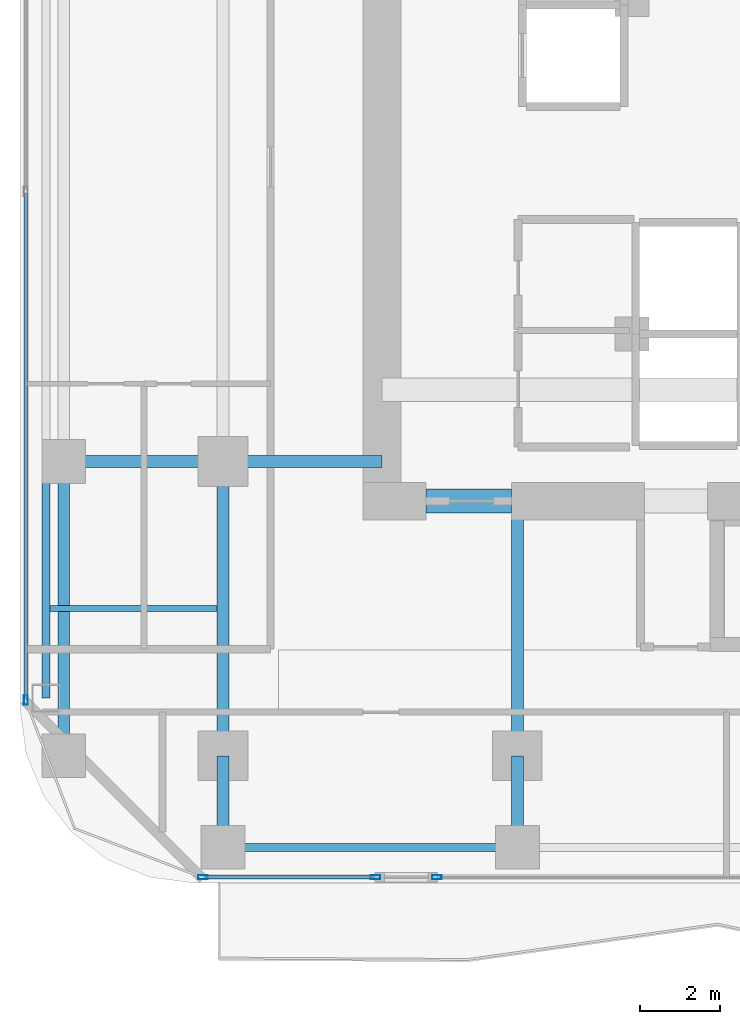
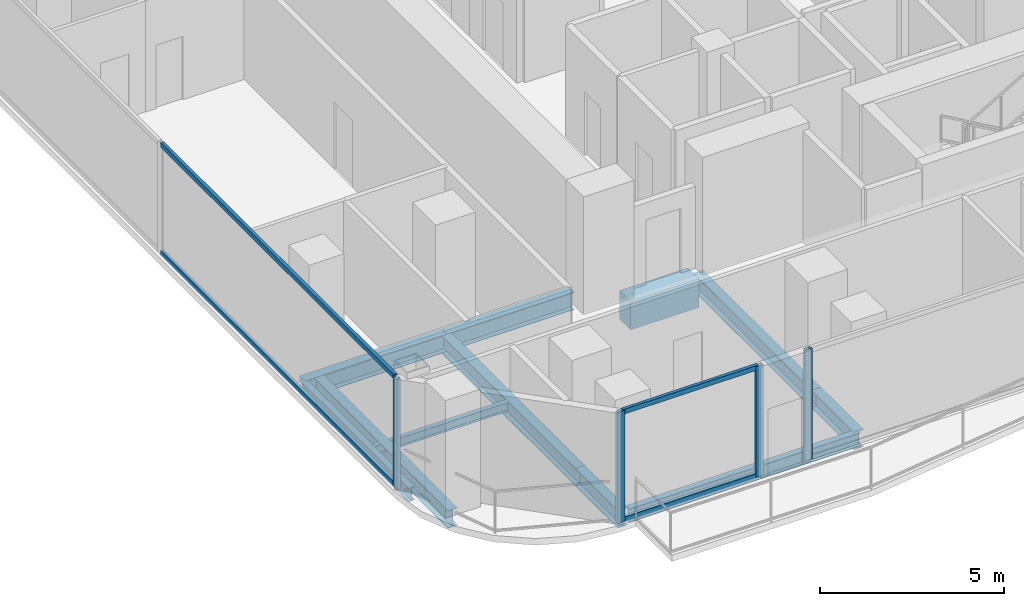
# One storey, part 2 of 27: 11 beams, 8 members, 3 elements without a shape of their own.
"""IFC4 building model written with IfcOpenShell, lengths in metres."""

from ifc_helpers import new_model, si_unit, direction, frame, origin, origin_2d, place, context, subcontext, project, spatial, rectangle, hollow_rectangle, i_section, extrude, material, layer, layer_set, material_profile, profile_set, type_object, element, aggregate, save


model = new_model("IFC4")

# Units and contexts
model_context = context("Model", 3, precision=1e-05, world=origin(), true_north=direction((0.0, 1.0)))
body_context = subcontext(model_context, "Body", "Model", "MODEL_VIEW")
ifc_project = project(units=[si_unit("LENGTHUNIT", "METRE"), si_unit("AREAUNIT", "SQUARE_METRE"), si_unit("VOLUMEUNIT", "CUBIC_METRE"), si_unit("PLANEANGLEUNIT", "RADIAN"), si_unit("MASSUNIT", "GRAM", prefix="KILO")], contexts=[model_context])

# Site, building, storey
site_placement = place(None, origin())
site = spatial("IfcSite", under=ifc_project, at=site_placement, CompositionType="ELEMENT")
building_placement = place(site_placement, origin())
building = spatial("IfcBuilding", under=site, at=building_placement, Name="Khorvyn Point Tower", CompositionType="ELEMENT")
storey_placement = place(building_placement, frame((0.0, 0.0, 129.0)))
storey = spatial("IfcBuildingStorey", under=building, at=storey_placement, Name="L32", CompositionType="ELEMENT", Elevation=129.0)

# Curtain wall, member
ifc_material_1 = material(Name="Anodised aluminium 6063-T6 and laminated Low-E glass", Category="aluminium")
ifc_layer = layer(ifc_material_1, 0.18994140625)
ifc_layer_set = layer_set([ifc_layer], Name="Stick-Built Acoustic Curtain Wall CW-SYS-03")
curtain_wall_type = type_object("IfcCurtainWallType", Name="Stick-Built Acoustic Curtain Wall CW-SYS-03", PredefinedType="NOTDEFINED", material=ifc_layer_set)
curtain_wall_1_placement = place(storey_placement, origin())
curtain_wall_1 = element("IfcCurtainWall", 1, at=curtain_wall_1_placement, inside=storey, type_object=curtain_wall_type, Name="Curtain Wall", PredefinedType="NOTDEFINED")
ifc_material_2 = material(Name="Anodised aluminium 6063-T6", Category="aluminium")
ifc_material_profile_1 = material_profile(ifc_material_2, hollow_rectangle(XDim=0.10009765625, YDim=0.239990234375, WallThickness=0.0048828125, at=origin_2d()))
ifc_profile_set_1 = profile_set([ifc_material_profile_1], Name="Anodised aluminium 6063-T6 ALU-MUL-100x240")
member_type_1 = type_object("IfcMemberType", Name="Anodised Aluminium 6063-T6 Mullion ALU-MUL-100x240", PredefinedType="MULLION", material=ifc_profile_set_1)
member_1_placement = place(storey_placement, frame((-9.423095703125, -17.85009765625, 0.0), z_axis=(0.0, 0.0, 1.0), x_axis=(0.0, -1.0, 0.0)))
member_1 = element("IfcMember", 2, at=member_1_placement, type_object=member_type_1, Name="Transom", PredefinedType="MULLION", context=body_context, shape_type="SweptSolid", body=[
    extrude(hollow_rectangle(XDim=0.10009765625, YDim=0.239990234375, WallThickness=0.0048828125, at=origin_2d()), origin(), (0.0, 0.0, 1.0), 3.679931640625),
])
aggregate(curtain_wall_1, [member_1])

# Curtain wall, members
curtain_wall_2_placement = place(storey_placement, origin())
curtain_wall_2 = element("IfcCurtainWall", 3, at=curtain_wall_2_placement, inside=storey, type_object=curtain_wall_type, Name="Curtain Wall", PredefinedType="NOTDEFINED")
member_2_placement = place(storey_placement, frame((-10.962890625, -17.85009765625, 0.0), z_axis=(0.0, 0.0, 1.0), x_axis=(0.0, -1.0, 0.0)))
member_2 = element("IfcMember", 4, at=member_2_placement, type_object=member_type_1, Name="Transom", PredefinedType="MULLION", context=body_context, shape_type="SweptSolid", body=[
    extrude(hollow_rectangle(XDim=0.10009765625, YDim=0.239990234375, WallThickness=0.0048828125, at=origin_2d()), origin(), (0.0, 0.0, 1.0), 3.679931640625),
])
member_3_placement = place(storey_placement, frame((-15.300048828125, -17.85009765625, 0.0), z_axis=(0.0, 0.0, 1.0), x_axis=(0.0, -1.0, 0.0)))
member_3 = element("IfcMember", 5, at=member_3_placement, type_object=member_type_1, Name="Transom", PredefinedType="MULLION", context=body_context, shape_type="SweptSolid", body=[
    extrude(hollow_rectangle(XDim=0.10009765625, YDim=0.239990234375, WallThickness=0.0048828125, at=origin_2d()), origin(), (0.0, 0.0, 1.0), 3.679931640625),
])

# Curtain wall, member
curtain_wall_3_placement = place(storey_placement, origin())
curtain_wall_3 = element("IfcCurtainWall", 6, at=curtain_wall_3_placement, inside=storey, type_object=curtain_wall_type, Name="Curtain Wall", PredefinedType="NOTDEFINED")
member_4_placement = place(storey_placement, frame((-19.75, -13.39990234375, 0.0), z_axis=(0.0, 0.0, 1.0), x_axis=(-1.0, 0.0, 0.0)))
member_4 = element("IfcMember", 7, at=member_4_placement, type_object=member_type_1, Name="Transom", PredefinedType="MULLION", context=body_context, shape_type="SweptSolid", body=[
    extrude(hollow_rectangle(XDim=0.10009765625, YDim=0.239990234375, WallThickness=0.0048828125, at=origin_2d()), origin(), (0.0, 0.0, 1.0), 3.679931640625),
])

# Member
ifc_material_profile_2 = material_profile(ifc_material_2, hollow_rectangle(XDim=0.10009765625, YDim=0.159912109375, WallThickness=0.00439453125, at=origin_2d()))
ifc_profile_set_2 = profile_set([ifc_material_profile_2], Name="Anodised aluminium 6063-T6 ALU-TRN-100x160")
member_type_2 = type_object("IfcMemberType", Name="Anodised Aluminium 6063-T6 Transom ALU-TRN-100x160", PredefinedType="USERDEFINED", material=ifc_profile_set_2)
member_5_placement = place(storey_placement, frame((-11.012939453125, -17.85009765625, 0.050048828125), z_axis=(-1.0, 0.0, 0.0), x_axis=(0.0, -1.0, 0.0)))
member_5 = element("IfcMember", 8, at=member_5_placement, type_object=member_type_2, Name="Transom", ObjectType="TRANSOM", PredefinedType="USERDEFINED", context=body_context, shape_type="SweptSolid", body=[
    extrude(hollow_rectangle(XDim=0.10009765625, YDim=0.159912109375, WallThickness=0.00439453125, at=origin_2d()), origin(), (0.0, 0.0, 1.0), 4.237060546875),
])

member_6_placement = place(storey_placement, frame((-11.012939453125, -17.85009765625, 3.6298828125), z_axis=(-1.0, 0.0, 0.0), x_axis=(0.0, -1.0, 0.0)))
member_6 = element("IfcMember", 9, at=member_6_placement, type_object=member_type_2, Name="Transom", ObjectType="TRANSOM", PredefinedType="USERDEFINED", context=body_context, shape_type="SweptSolid", body=[
    extrude(hollow_rectangle(XDim=0.10009765625, YDim=0.159912109375, WallThickness=0.00439453125, at=origin_2d()), origin(), (0.0, 0.0, 1.0), 4.237060546875),
])

aggregate(curtain_wall_2, [member_2, member_3, member_5, member_6])

member_7_placement = place(storey_placement, frame((-19.75, -13.35009765625, 0.050048828125), z_axis=(0.0, 1.0, 0.0), x_axis=(-1.0, 0.0, 0.0)))
member_7 = element("IfcMember", 10, at=member_7_placement, type_object=member_type_2, Name="Transom", ObjectType="TRANSOM", PredefinedType="USERDEFINED", context=body_context, shape_type="SweptSolid", body=[
    extrude(hollow_rectangle(XDim=0.10009765625, YDim=0.159912109375, WallThickness=0.00439453125, at=origin_2d()), origin(), (0.0, 0.0, 1.0), 12.683349609375),
])

member_8_placement = place(storey_placement, frame((-19.75, -13.35009765625, 3.6298828125), z_axis=(0.0, 1.0, 0.0), x_axis=(-1.0, 0.0, 0.0)))
member_8 = element("IfcMember", 11, at=member_8_placement, type_object=member_type_2, Name="Transom", ObjectType="TRANSOM", PredefinedType="USERDEFINED", context=body_context, shape_type="SweptSolid", body=[
    extrude(hollow_rectangle(XDim=0.10009765625, YDim=0.159912109375, WallThickness=0.00439453125, at=origin_2d()), origin(), (0.0, 0.0, 1.0), 12.683349609375),
])

aggregate(curtain_wall_3, [member_4, member_7, member_8])

# Beams
ifc_material_3 = material(Name="Concrete C50/60", Category="concrete")
ifc_material_profile_3 = material_profile(ifc_material_3, rectangle(XDim=0.60009765625, YDim=0.949951171875, at=origin_2d()))
ifc_profile_set_3 = profile_set([ifc_material_profile_3], Name="Concrete C50/60 RC600x950")
beam_type_1 = type_object("IfcBeamType", Name="Concrete C50/60 Beam RC600x950", PredefinedType="BEAM", material=ifc_profile_set_3)
beam_1_placement = place(storey_placement, frame((-9.699951171875, -8.39990234375, -0.695068359375), z_axis=(1.0, 0.0, 0.0), x_axis=(0.0, 1.0, 0.0)))
element("IfcBeam", 12, at=beam_1_placement, inside=storey, type_object=beam_type_1, Name="L32 Core Southwest Portal Coupling Beam", PredefinedType="BEAM", context=body_context, shape_type="SweptSolid", body=[
    extrude(rectangle(XDim=0.60009765625, YDim=0.949951171875, at=origin_2d()), origin(), (0.0, 0.0, 1.0), 2.14990234375),
])
ifc_material_4 = material(Name="Steel S355", Category="steel")
ifc_material_profile_4 = material_profile(ifc_material_4, i_section(OverallWidth=0.300048828125, OverallDepth=0.587890625, WebThickness=0.011962890625, FlangeThickness=0.02001953125, at=origin_2d()))
ifc_profile_set_4 = profile_set([ifc_material_profile_4], Name="Steel S355 H588x300x12x20")
beam_type_2 = type_object("IfcBeamType", Name="Steel S355 Beam H588x300x12x20", PredefinedType="BEAM", material=ifc_profile_set_4)
beam_2_placement = place(storey_placement, frame((-19.25, -7.39990234375, -0.513916015625), z_axis=(1.0, 0.0, 0.0), x_axis=(0.0, 1.0, 0.0)))
element("IfcBeam", 13, at=beam_2_placement, inside=storey, type_object=beam_type_2, Name="Beam", PredefinedType="BEAM", context=body_context, shape_type="SweptSolid", body=[
    extrude(i_section(OverallWidth=0.300048828125, OverallDepth=0.587890625, WebThickness=0.011962890625, FlangeThickness=0.02001953125, at=origin_2d()), origin(), (0.0, 0.0, 1.0), 4.449951171875),
])
beam_3_placement = place(storey_placement, frame((-14.800048828125, -7.39990234375, -0.513916015625), z_axis=(1.0, 0.0, 0.0), x_axis=(0.0, 1.0, 0.0)))
element("IfcBeam", 14, at=beam_3_placement, inside=storey, type_object=beam_type_2, Name="Beam", PredefinedType="BEAM", context=body_context, shape_type="SweptSolid", body=[
    extrude(i_section(OverallWidth=0.300048828125, OverallDepth=0.587890625, WebThickness=0.011962890625, FlangeThickness=0.02001953125, at=origin_2d()), origin(), (0.0, 0.0, 1.0), 4.0),
])
beam_4_placement = place(storey_placement, frame((-14.800048828125, -17.10009765625, -0.513916015625), z_axis=(0.0, 1.0, 0.0), x_axis=(-1.0, 0.0, 0.0)))
element("IfcBeam", 15, at=beam_4_placement, inside=storey, type_object=beam_type_2, Name="Beam", PredefinedType="BEAM", context=body_context, shape_type="SweptSolid", body=[
    extrude(i_section(OverallWidth=0.300048828125, OverallDepth=0.587890625, WebThickness=0.011962890625, FlangeThickness=0.02001953125, at=origin_2d()), origin(), (0.0, 0.0, 1.0), 2.300048828125),
])
beam_5_placement = place(storey_placement, frame((-14.800048828125, -14.800048828125, -0.513916015625), z_axis=(0.0, 1.0, 0.0), x_axis=(-1.0, 0.0, 0.0)))
element("IfcBeam", 16, at=beam_5_placement, inside=storey, type_object=beam_type_2, Name="Beam", PredefinedType="BEAM", context=body_context, shape_type="SweptSolid", body=[
    extrude(i_section(OverallWidth=0.300048828125, OverallDepth=0.587890625, WebThickness=0.011962890625, FlangeThickness=0.02001953125, at=origin_2d()), origin(), (0.0, 0.0, 1.0), 7.400146484375),
])
beam_6_placement = place(storey_placement, frame((-7.39990234375, -17.10009765625, -0.513916015625), z_axis=(0.0, 1.0, 0.0), x_axis=(-1.0, 0.0, 0.0)))
element("IfcBeam", 17, at=beam_6_placement, inside=storey, type_object=beam_type_2, Name="Beam", PredefinedType="BEAM", context=body_context, shape_type="SweptSolid", body=[
    extrude(i_section(OverallWidth=0.300048828125, OverallDepth=0.587890625, WebThickness=0.011962890625, FlangeThickness=0.02001953125, at=origin_2d()), origin(), (0.0, 0.0, 1.0), 2.300048828125),
])
beam_7_placement = place(storey_placement, frame((-7.39990234375, -14.800048828125, -0.513916015625), z_axis=(0.0, 1.0, 0.0), x_axis=(-1.0, 0.0, 0.0)))
element("IfcBeam", 18, at=beam_7_placement, inside=storey, type_object=beam_type_2, Name="Beam", PredefinedType="BEAM", context=body_context, shape_type="SweptSolid", body=[
    extrude(i_section(OverallWidth=0.300048828125, OverallDepth=0.587890625, WebThickness=0.011962890625, FlangeThickness=0.02001953125, at=origin_2d()), origin(), (0.0, 0.0, 1.0), 6.400146484375),
])
beam_8_placement = place(storey_placement, frame((-18.800048828125, -14.800048828125, -0.513916015625), z_axis=(0.0, 1.0, 0.0), x_axis=(-1.0, 0.0, 0.0)))
element("IfcBeam", 19, at=beam_8_placement, inside=storey, type_object=beam_type_2, Name="Beam", PredefinedType="BEAM", context=body_context, shape_type="SweptSolid", body=[
    extrude(i_section(OverallWidth=0.300048828125, OverallDepth=0.587890625, WebThickness=0.011962890625, FlangeThickness=0.02001953125, at=origin_2d()), origin(), (0.0, 0.0, 1.0), 7.400146484375),
])
ifc_material_profile_5 = material_profile(ifc_material_4, i_section(OverallWidth=0.14990234375, OverallDepth=0.300048828125, WebThickness=0.006591796875, FlangeThickness=0.009033203125, at=origin_2d()))
ifc_profile_set_5 = profile_set([ifc_material_profile_5], Name="Steel S355 H300x150x6.5x9")
beam_type_3 = type_object("IfcBeamType", Name="Steel S355 Joist H300x150x6.5x9", PredefinedType="JOIST", material=ifc_profile_set_5)
beam_9_placement = place(storey_placement, frame((-19.14990234375, -11.10009765625, -0.3701171875), z_axis=(1.0, 0.0, 0.0), x_axis=(0.0, 1.0, 0.0)))
element("IfcBeam", 20, at=beam_9_placement, inside=storey, type_object=beam_type_3, Name="Beam", PredefinedType="JOIST", context=body_context, shape_type="SweptSolid", body=[
    extrude(i_section(OverallWidth=0.14990234375, OverallDepth=0.300048828125, WebThickness=0.006591796875, FlangeThickness=0.009033203125, at=origin_2d()), origin(), (0.0, 0.0, 1.0), 4.199951171875),
])
ifc_material_profile_6 = material_profile(ifc_material_4, i_section(OverallWidth=0.199951171875, OverallDepth=0.449951171875, WebThickness=0.009033203125, FlangeThickness=0.013916015625, at=origin_2d()))
ifc_profile_set_6 = profile_set([ifc_material_profile_6], Name="Steel S355 H450x200x9x14")
beam_type_4 = type_object("IfcBeamType", Name="Steel S355 Spandrel H450x200x9x14", PredefinedType="SPANDREL", material=ifc_profile_set_6)
beam_10_placement = place(storey_placement, frame((-14.64990234375, -17.10009765625, -0.445068359375), z_axis=(1.0, 0.0, 0.0), x_axis=(0.0, 1.0, 0.0)))
element("IfcBeam", 21, at=beam_10_placement, inside=storey, type_object=beam_type_4, Name="Beam", PredefinedType="SPANDREL", context=body_context, shape_type="SweptSolid", body=[
    extrude(i_section(OverallWidth=0.199951171875, OverallDepth=0.449951171875, WebThickness=0.009033203125, FlangeThickness=0.013916015625, at=origin_2d()), origin(), (0.0, 0.0, 1.0), 7.25),
])
beam_11_placement = place(storey_placement, frame((-19.25, -13.35009765625, -0.445068359375), z_axis=(0.0, 1.0, 0.0), x_axis=(-1.0, 0.0, 0.0)))
element("IfcBeam", 22, at=beam_11_placement, inside=storey, type_object=beam_type_4, Name="Beam", PredefinedType="SPANDREL", context=body_context, shape_type="SweptSolid", body=[
    extrude(i_section(OverallWidth=0.199951171875, OverallDepth=0.449951171875, WebThickness=0.009033203125, FlangeThickness=0.013916015625, at=origin_2d()), origin(), (0.0, 0.0, 1.0), 5.9501953125),
])

save(model, "model.ifc")
